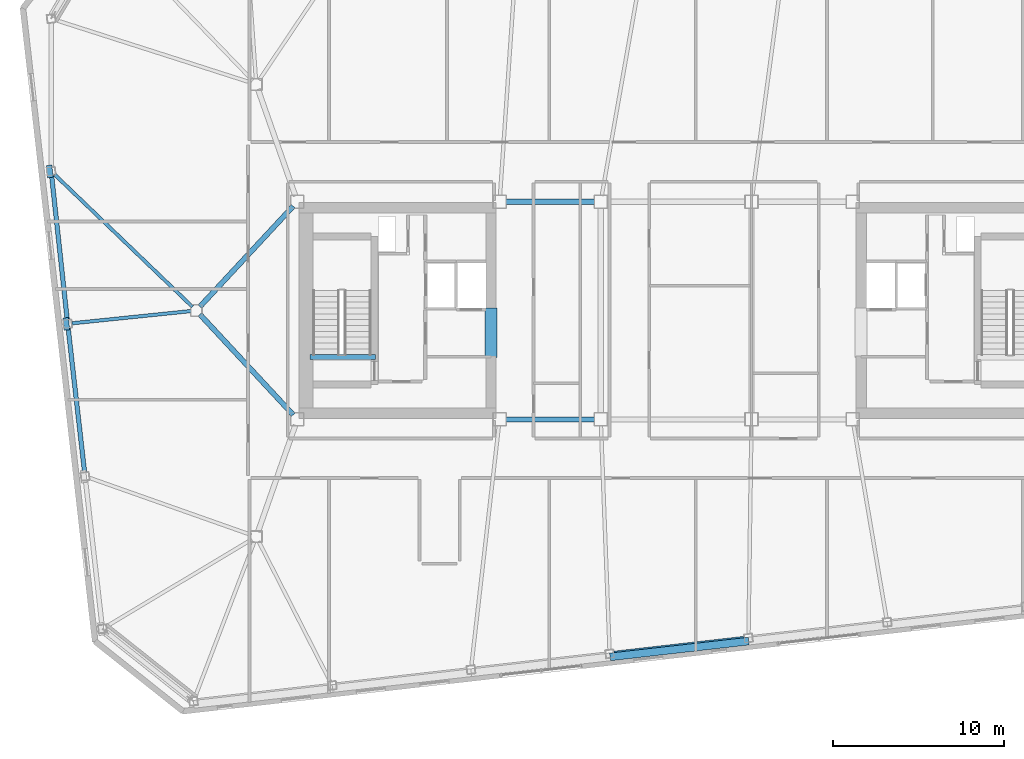
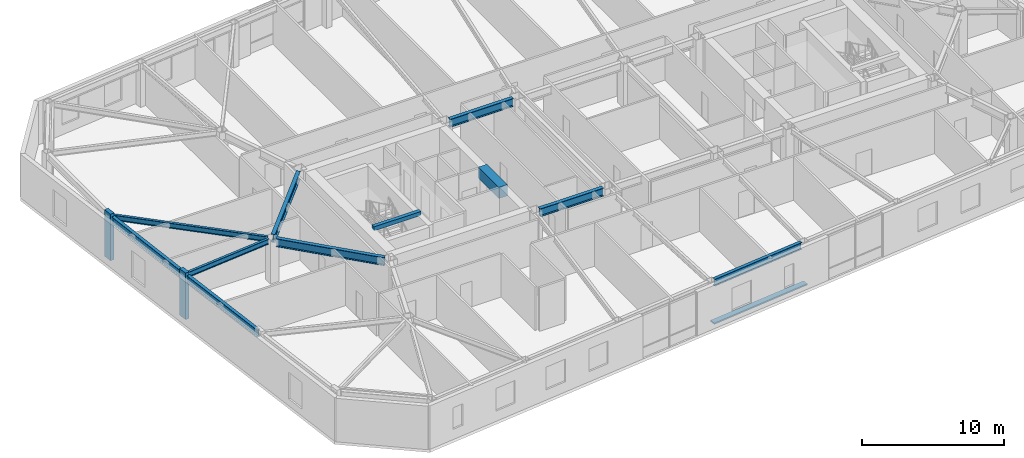
# One storey, part 5 of 19: 11 beams, 3 members.
"""IFC4 building model written with IfcOpenShell, lengths in metres."""

from ifc_helpers import new_model, si_unit, direction, frame, origin, origin_2d, place, context, subcontext, project, spatial, rectangle, i_section, extrude, material, material_profile, profile_set, type_object, element, save


model = new_model("IFC4")

# Units and contexts
model_context = context("Model", 3, precision=1e-05, world=origin(), true_north=direction((0.0, 1.0)))
body_context = subcontext(model_context, "Body", "Model", "MODEL_VIEW")
ifc_project = project(units=[si_unit("LENGTHUNIT", "METRE"), si_unit("AREAUNIT", "SQUARE_METRE"), si_unit("VOLUMEUNIT", "CUBIC_METRE"), si_unit("PLANEANGLEUNIT", "RADIAN"), si_unit("MASSUNIT", "GRAM", prefix="KILO")], contexts=[model_context])

# Site, building, storey
site_placement = place(None, origin())
site = spatial("IfcSite", under=ifc_project, at=site_placement, CompositionType="ELEMENT")
building_placement = place(site_placement, origin())
building = spatial("IfcBuilding", under=site, at=building_placement, Name="Tavrogorsk Clinical Tower", CompositionType="ELEMENT")
storey_placement = place(building_placement, frame((0.0, 0.0, 259.0)))
storey = spatial("IfcBuildingStorey", under=building, at=storey_placement, Name="L60", CompositionType="ELEMENT", Elevation=259.0)

# Member
ifc_material_1 = material(Name="Anodised aluminium alloy AW-6063", Category="aluminium")
ifc_material_profile_1 = material_profile(ifc_material_1, rectangle(XDim=0.449951171875, YDim=0.1201171875, at=origin_2d()), Name="ALU-SUNSHADE-450x120")
ifc_profile_set_1 = profile_set([ifc_material_profile_1], Name="Anodised aluminium alloy AW-6063")
member_type_1 = type_object("IfcMemberType", Name="ChicagoSunshade_450x120", PredefinedType="USERDEFINED", material=ifc_profile_set_1)
member_placement = place(storey_placement, frame((-3.855712890625, -20.214111328125, 0.179931640625), z_axis=(0.99356960656, 0.11322295227, 0.0), x_axis=(-0.11322295227, 0.99356960656, 0.0)))
element("IfcMember", 1, at=member_placement, inside=storey, type_object=member_type_1, Name="L60 South Aluminium Sunshade S4", ObjectType="SUNSHADE", PredefinedType="USERDEFINED", context=body_context, shape_type="SweptSolid", body=[
    extrude(rectangle(XDim=0.449951171875, YDim=0.1201171875, at=origin_2d()), origin(), (0.0, 0.0, 1.0), 8.148681640625),
])

# Beams
ifc_material_2 = material(Name="Concrete B80", Category="concrete")
ifc_material_profile_2 = material_profile(ifc_material_2, rectangle(XDim=0.699951171875, YDim=0.949951171875, at=origin_2d()), Name="RC-CB-700x950")
ifc_profile_set_2 = profile_set([ifc_material_profile_2], Name="Concrete B80")
beam_type_1 = type_object("IfcBeamType", Name="CouplingBeam_RC700x950", PredefinedType="LINTEL", material=ifc_profile_set_2)
beam_1_placement = place(storey_placement, frame((-10.800048828125, -2.75, 3.264892578125), z_axis=(0.0, 1.0, 0.0), x_axis=(-1.0, 0.0, 0.0)))
element("IfcBeam", 2, at=beam_1_placement, inside=storey, type_object=beam_type_1, Name="L60 Core West Coupling Beam", PredefinedType="LINTEL", context=body_context, shape_type="SweptSolid", body=[
    extrude(rectangle(XDim=0.699951171875, YDim=0.949951171875, at=origin_2d()), origin(), (0.0, 0.0, 1.0), 2.89990234375),
])
ifc_material_3 = material(Name="Structural steel S355", Category="steel")
ifc_material_profile_3 = material_profile(ifc_material_3, i_section(OverallWidth=0.199951171875, OverallDepth=0.449951171875, WebThickness=0.011474609375, FlangeThickness=0.01806640625, at=origin_2d()), Name="B-450x200x11.5x18")
ifc_profile_set_3 = profile_set([ifc_material_profile_3], Name="Structural steel S355")
beam_type_2 = type_object("IfcBeamType", Name="FloorBeam_B450", PredefinedType="BEAM", material=ifc_profile_set_3)
beam_2_placement = place(storey_placement, frame((-28.2236328125, 0.214599609375, 3.514892578125), z_axis=(-0.721413519982, 0.692504536582, 0.0), x_axis=(-0.692504536582, -0.721413519982, 0.0)))
element("IfcBeam", 3, at=beam_2_placement, inside=storey, type_object=beam_type_2, Name="L60 Radial Floor Beam W2", PredefinedType="BEAM", context=body_context, shape_type="SweptSolid", body=[
    extrude(i_section(OverallWidth=0.199951171875, OverallDepth=0.449951171875, WebThickness=0.011474609375, FlangeThickness=0.01806640625, at=origin_2d()), origin(), (0.0, 0.0, 1.0), 11.1728515625),
])
beam_3_placement = place(storey_placement, frame((-28.308349609375, -0.03173828125, 3.514892578125), z_axis=(-0.994752624307, -0.102309415177, 0.0), x_axis=(0.102309415177, -0.994752624307, 0.0)))
element("IfcBeam", 4, at=beam_3_placement, inside=storey, type_object=beam_type_2, Name="L60 Radial Floor Beam W3", PredefinedType="BEAM", context=body_context, shape_type="SweptSolid", body=[
    extrude(i_section(OverallWidth=0.199951171875, OverallDepth=0.449951171875, WebThickness=0.011474609375, FlangeThickness=0.01806640625, at=origin_2d()), origin(), (0.0, 0.0, 1.0), 6.9775390625),
])

# Members
ifc_material_4 = material(Name="Precast concrete B45 with limestone cladding", Category="masonry")
ifc_material_profile_4 = material_profile(ifc_material_4, rectangle(XDim=0.320068359375, YDim=0.719970703125, at=origin_2d()), Name="LIMESTONE-FIN-320x720")
ifc_profile_set_4 = profile_set([ifc_material_profile_4], Name="Precast concrete B45 with limestone cladding")
member_type_2 = type_object("IfcMemberType", Name="LimestonePleatFin_320x720", PredefinedType="USERDEFINED", material=ifc_profile_set_4)
for number, where, z_axis, x_axis, name in (
    (5, (-36.549560546875, 8.121337890625, 0.0), (0.0, 0.0, 1.0), (0.993571855677, 0.113203213768, 0.0), "L60 W Pleated Stone Fin 1"),
    (6, (-35.585205078125, -0.781005859375, 0.0), (0.0, 0.0, 1.0), (0.993571855677, 0.113203213768, 0.0), "L60 W Pleated Stone Fin 2"),
):
    element("IfcMember", number, at=place(storey_placement, frame(where, z_axis=z_axis, x_axis=x_axis)), inside=storey, type_object=member_type_2, Name=name, ObjectType="FIN", PredefinedType="USERDEFINED", context=body_context, shape_type="SweptSolid", body=[
        extrude(rectangle(XDim=0.320068359375, YDim=0.719970703125, at=origin_2d()), origin(), (0.0, 0.0, 1.0), 4.0),
    ])

# Beams
ifc_material_5 = material(Name="Structural steel S390", Category="steel")
ifc_material_profile_5 = material_profile(ifc_material_5, i_section(OverallWidth=0.300048828125, OverallDepth=0.699951171875, WebThickness=0.01708984375, FlangeThickness=0.028076171875, at=origin_2d()), Name="B-700x300x17x28")
ifc_profile_set_5 = profile_set([ifc_material_profile_5], Name="Structural steel S390")
beam_type_3 = type_object("IfcBeamType", Name="PrimaryGirder_B700", PredefinedType="USERDEFINED", material=ifc_profile_set_5)
for number, where, z_axis, x_axis, name in (
    (7, (-9.93994140625, -6.35009765625, 3.389892578125), (1.0, 0.0, 0.0), (0.0, 1.0, 0.0), "L60 Primary Spine Girder MG-01"),
    (8, (-9.93994140625, 6.35009765625, 3.389892578125), (1.0, 0.0, 0.0), (0.0, 1.0, 0.0), "L60 Primary Spine Girder MG-02"),
):
    element("IfcBeam", number, at=place(storey_placement, frame(where, z_axis=z_axis, x_axis=x_axis)), inside=storey, type_object=beam_type_3, Name=name, ObjectType="GIRDER", PredefinedType="USERDEFINED", context=body_context, shape_type="SweptSolid", body=[
        extrude(i_section(OverallWidth=0.300048828125, OverallDepth=0.699951171875, WebThickness=0.01708984375, FlangeThickness=0.028076171875, at=origin_2d()), origin(), (0.0, 0.0, 1.0), 5.179931640625),
    ])
for number, where, z_axis, x_axis, name in (
    (9, (-27.7890625, -0.22705078125, 3.389892578125), (0.680684060959, -0.732577101168, 0.0), (0.732577101168, 0.680684060959, 0.0), "L60 Spine Link Girder OPG-5"),
    (10, (-27.7890625, 0.22705078125, 3.389892578125), (0.680684060959, 0.732577101168, 0.0), (-0.732577101168, 0.680684060959, 0.0), "L60 Spine Link Girder OPG-6"),
):
    element("IfcBeam", number, at=place(storey_placement, frame(where, z_axis=z_axis, x_axis=x_axis)), inside=storey, type_object=beam_type_3, Name=name, ObjectType="GIRDER", PredefinedType="USERDEFINED", context=body_context, shape_type="SweptSolid", body=[
        extrude(i_section(OverallWidth=0.300048828125, OverallDepth=0.699951171875, WebThickness=0.01708984375, FlangeThickness=0.028076171875, at=origin_2d()), origin(), (0.0, 0.0, 1.0), 7.998046875),
    ])
ifc_material_6 = material(Name="Structural steel S390", Category="steel")
ifc_material_profile_6 = material_profile(ifc_material_6, i_section(OverallWidth=0.260009765625, OverallDepth=0.60009765625, WebThickness=0.014892578125, FlangeThickness=0.02392578125, at=origin_2d()), Name="B-600x260x15x24")
ifc_profile_set_6 = profile_set([ifc_material_profile_6], Name="Structural steel S390")
beam_type_4 = type_object("IfcBeamType", Name="SpandrelBeam_B600", PredefinedType="SPANDREL", material=ifc_profile_set_6)
beam_4_placement = place(storey_placement, frame((-3.619873046875, -20.006103515625, 3.43994140625), z_axis=(0.993568911788, 0.113229048956, 0.0), x_axis=(-0.113229048956, 0.993568911788, 0.0)))
element("IfcBeam", 11, at=beam_4_placement, inside=storey, type_object=beam_type_4, Name="L60 Perimeter Spandrel S4-S5", PredefinedType="SPANDREL", context=body_context, shape_type="SweptSolid", body=[
    extrude(i_section(OverallWidth=0.260009765625, OverallDepth=0.60009765625, WebThickness=0.014892578125, FlangeThickness=0.02392578125, at=origin_2d()), origin(), (0.0, 0.0, 1.0), 7.6328125),
])
beam_5_placement = place(storey_placement, frame((-36.442138671875, 7.8740234375, 3.43994140625), z_axis=(0.107655746314, -0.994188231818, 0.0), x_axis=(0.994188231818, 0.107655746314, 0.0)))
element("IfcBeam", 12, at=beam_5_placement, inside=storey, type_object=beam_type_4, Name="L60 Perimeter Spandrel W2-W3", PredefinedType="SPANDREL", context=body_context, shape_type="SweptSolid", body=[
    extrude(i_section(OverallWidth=0.260009765625, OverallDepth=0.60009765625, WebThickness=0.014892578125, FlangeThickness=0.02392578125, at=origin_2d()), origin(), (0.0, 0.0, 1.0), 8.4384765625),
])
beam_6_placement = place(storey_placement, frame((-35.4765625, -1.0283203125, 3.43994140625), z_axis=(0.113195129234, -0.99357277676, 0.0), x_axis=(0.99357277676, 0.113195129234, 0.0)))
element("IfcBeam", 13, at=beam_6_placement, inside=storey, type_object=beam_type_4, Name="L60 Perimeter Spandrel W3-W4", PredefinedType="SPANDREL", context=body_context, shape_type="SweptSolid", body=[
    extrude(i_section(OverallWidth=0.260009765625, OverallDepth=0.60009765625, WebThickness=0.014892578125, FlangeThickness=0.02392578125, at=origin_2d()), origin(), (0.0, 0.0, 1.0), 8.44384765625),
])
ifc_material_7 = material(Name="Concrete B60", Category="concrete")
ifc_material_profile_7 = material_profile(ifc_material_7, rectangle(XDim=0.300048828125, YDim=0.35009765625, at=origin_2d()), Name="RC-SHB-300x350")
ifc_profile_set_7 = profile_set([ifc_material_profile_7], Name="Concrete B60")
beam_type_5 = type_object("IfcBeamType", Name="StairHeaderBeam_RC300x350", PredefinedType="BEAM", material=ifc_profile_set_7)
beam_7_placement = place(storey_placement, frame((-21.35009765625, -2.719970703125, 3.824951171875), z_axis=(1.0, 0.0, 0.0), x_axis=(0.0, 1.0, 0.0)))
element("IfcBeam", 14, at=beam_7_placement, inside=storey, type_object=beam_type_5, Name="L61 ST-W Landing Header Beam", PredefinedType="BEAM", context=body_context, shape_type="SweptSolid", body=[
    extrude(rectangle(XDim=0.300048828125, YDim=0.35009765625, at=origin_2d()), origin(), (0.0, 0.0, 1.0), 3.800048828125),
])

save(model, "model.ifc")
